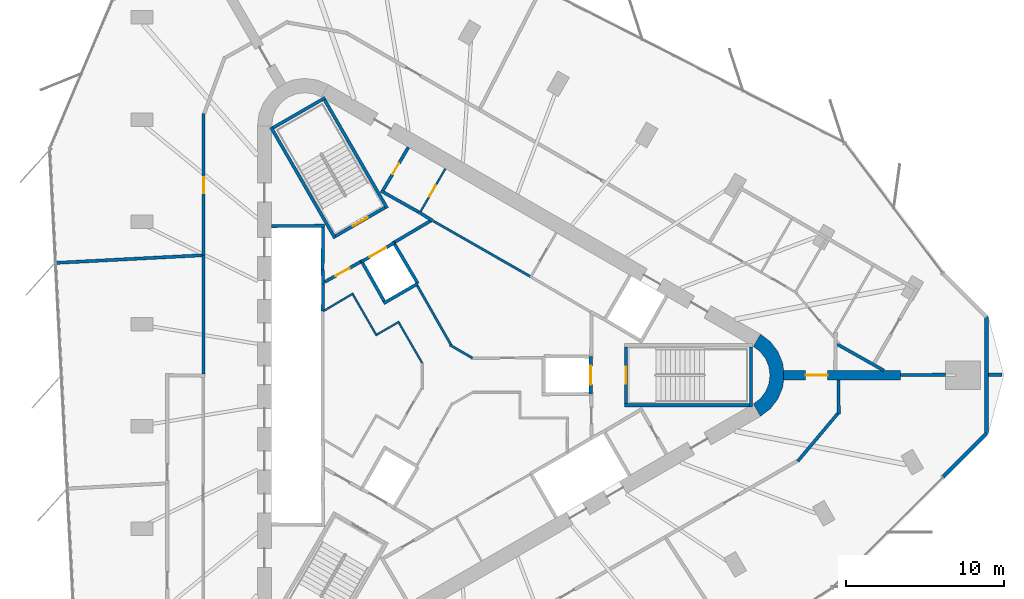
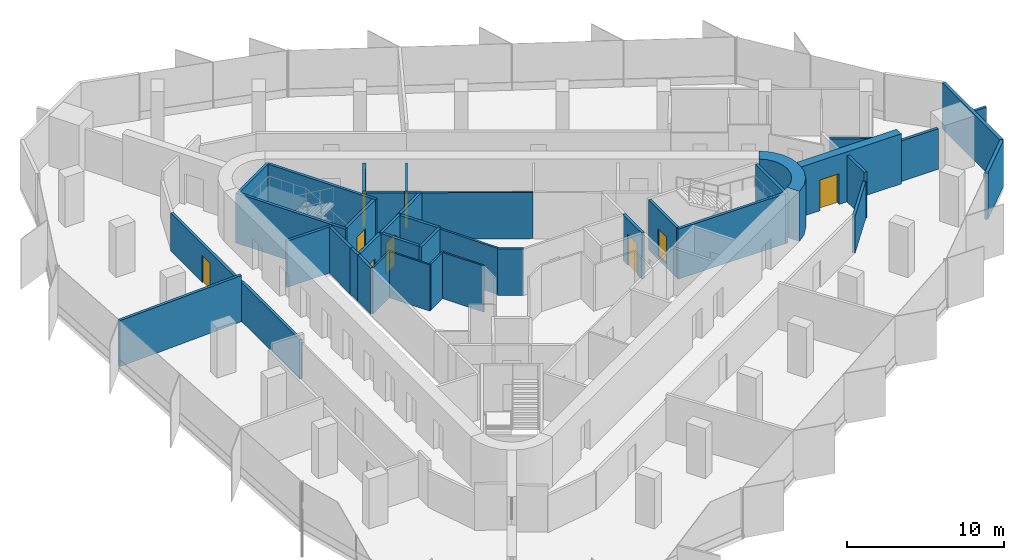
# One storey, part 9 of 12: 41 walls, 9 doors, 9 openings.
"""IFC4 building model written with IfcOpenShell, lengths in metres."""

from ifc_helpers import new_model, si_unit, direction, frame, frame_2d, origin, place, context, subcontext, project, spatial, polyline, rectangle, outline, extrude, material, layer, layer_set, type_object, element, fill, save


model = new_model("IFC4")

# Units and contexts
model_context = context("Model", 3, precision=1e-05, world=origin(), true_north=direction((0.0, 1.0)))
body_context = subcontext(model_context, "Body", "Model", "MODEL_VIEW")
ifc_project = project(units=[si_unit("LENGTHUNIT", "METRE"), si_unit("AREAUNIT", "SQUARE_METRE"), si_unit("VOLUMEUNIT", "CUBIC_METRE"), si_unit("PLANEANGLEUNIT", "RADIAN"), si_unit("MASSUNIT", "GRAM", prefix="KILO")], contexts=[model_context])

# Site, building, storey
site_placement = place(None, origin())
site = spatial("IfcSite", under=ifc_project, at=site_placement, CompositionType="ELEMENT")
building_placement = place(site_placement, origin())
building = spatial("IfcBuilding", under=site, at=building_placement, Name="Tanit Gate Tower", CompositionType="ELEMENT")
storey_placement = place(building_placement, frame((0.0, 0.0, 357.199951171875)))
storey = spatial("IfcBuildingStorey", under=building, at=storey_placement, Name="L81", CompositionType="ELEMENT", Elevation=357.199951171875)

# Wall, opening, door
ifc_material_1 = material(Name="Concrete C40/50", Category="concrete")
ifc_layer_1 = layer(ifc_material_1, 0.60009765625)
ifc_layer_set_1 = layer_set([ifc_layer_1], Name="BUTTRESS FIN 600 C40/50")
wall_type_1 = type_object("IfcWallType", Name="BUTTRESS FIN 600 C40/50", PredefinedType="SHEAR", material=ifc_layer_set_1)
wall_1_placement = place(storey_placement, frame((21.14990234375, 0.0, 0.0), z_axis=(0.0, 0.0, 1.0), x_axis=(1.0, 0.0, 0.0)))
wall_1 = element("IfcWall", 1, at=wall_1_placement, inside=storey, type_object=wall_type_1, Name="BUTTRESS FIN", PredefinedType="SHEAR", context=body_context, shape_type="SweptSolid", body=[
    extrude(rectangle(XDim=7.387939453125, YDim=0.60009765625, at=frame_2d((3.69384765625, 0.0))), origin(), (0.0, 0.0, 1.0), 3.900146484375),
])
opening_1_placement = place(wall_1_placement, frame((1.39990234375, 0.0, 0.0)))
opening_1 = element("IfcOpeningElement", 2, at=opening_1_placement, cuts=wall_1, Name="Opening P14-S23-F-E-1", PredefinedType="OPENING", context=body_context, shape_type="SweptSolid", body=[
    extrude(rectangle(XDim=1.39990234375, YDim=2.39990234375, at=frame_2d((0.699951171875, 1.199951171875))), frame((0.0, 0.31005859375, 0.0), z_axis=(0.0, -1.0, 0.0), x_axis=(1.0, 0.0, 0.0)), (0.0, 0.0, 1.0), 0.6201171875),
])
ifc_material_2 = material(Name="Timber door leaf", Category="wood")
door_type_1 = type_object("IfcDoorType", Name="INT-DOOR-FIN-PAIR-1400", OperationType="NOTDEFINED", PredefinedType="NOTDEFINED", material=ifc_material_2)
door_1_placement = place(opening_1_placement, origin())
door_1 = element("IfcDoor", 3, at=door_1_placement, inside=storey, type_object=door_type_1, Name="Door P14-S23-F-E-1", OperationType="DOUBLE_DOOR_SINGLE_SWING", OverallHeight=2.39990234375, OverallWidth=1.39990234375, PredefinedType="NOTDEFINED", context=body_context, shape_type="SweptSolid", body=[
    extrude(rectangle(XDim=1.39990234375, YDim=2.39990234375, at=frame_2d((0.699951171875, 1.199951171875))), frame((0.0, 0.02490234375, 0.0), z_axis=(0.0, -1.0, 0.0), x_axis=(1.0, 0.0, 0.0)), (0.0, 0.0, 1.0), 0.050048828125),
])
fill(opening_1, door_1)

# Walls
ifc_material_3 = material(Name="Concrete C40/50", Category="concrete")
ifc_layer_2 = layer(ifc_material_3, 0.89990234375)
ifc_layer_set_2 = layer_set([ifc_layer_2], Name="CORE WALL 900 C40/50")
wall_type_2 = type_object("IfcWallType", Name="CORE WALL 900 C40/50", PredefinedType="SHEAR", material=ifc_layer_set_2)
wall_2_placement = place(storey_placement, origin())
element("IfcWall", 4, at=wall_2_placement, inside=storey, type_object=wall_type_2, Name="CORE WALL CORNER", PredefinedType="SHEAR", context=body_context, shape_type="SweptSolid", body=[
    extrude(outline(polyline([(19.699951171875, -2.59814453125), (20.3212890625, -2.121337890625), (20.798095703125, -1.5), (21.097900390625, -0.776611328125), (21.199951171875, 0.0), (21.097900390625, 0.776611328125), (20.798095703125, 1.5), (20.3212890625, 2.121337890625), (19.699951171875, 2.59814453125), (19.25, 1.818603515625), (19.684814453125, 1.48486328125), (20.018798828125, 1.050048828125), (20.228515625, 0.54345703125), (20.300048828125, 0.0), (20.228515625, -0.54345703125), (20.018798828125, -1.050048828125), (19.684814453125, -1.48486328125), (19.25, -1.818603515625), (19.699951171875, -2.59814453125)])), origin(), (0.0, 0.0, 1.0), 3.900146484375),
])
ifc_material_4 = material(Name="Concrete C30/37 with bronze anodised aluminium cladding", Category="concrete")
ifc_layer_3 = layer(ifc_material_4, 0.239990234375)
ifc_layer_set_3 = layer_set([ifc_layer_3], Name="Facade wall bronze clad 240")
wall_type_3 = type_object("IfcWallType", Name="Facade wall bronze clad 240", PredefinedType="SOLIDWALL", material=ifc_layer_set_3)
wall_3_placement = place(storey_placement, frame((31.24658203125, -6.427734375, 0.0), z_axis=(0.0, 0.0, 1.0), x_axis=(0.707106781187, 0.707106781187, 0.0)))
element("IfcWall", 5, at=wall_3_placement, inside=storey, type_object=wall_type_3, Name="Bronze-clad facade wall L81 E.arc1", PredefinedType="SOLIDWALL", context=body_context, shape_type="SweptSolid", body=[
    extrude(rectangle(XDim=3.8603515625, YDim=0.239990234375, at=frame_2d((1.93017578125, 0.0))), origin(), (0.0, 0.0, 1.0), 3.60009765625),
])
wall_4_placement = place(storey_placement, frame((33.976318359375, -3.697998046875, 0.0), z_axis=(0.0, 0.0, 1.0), x_axis=(0.0, 1.0, 0.0)))
element("IfcWall", 6, at=wall_4_placement, inside=storey, type_object=wall_type_3, Name="Bronze-clad facade wall L81 E.arc2", PredefinedType="SOLIDWALL", context=body_context, shape_type="SweptSolid", body=[
    extrude(rectangle(XDim=7.39599609375, YDim=0.239990234375, at=frame_2d((3.697998046875, 0.0))), origin(), (0.0, 0.0, 1.0), 3.60009765625),
])
ifc_material_5 = material(Name="Fire-rated gypsum board partition")
ifc_layer_4 = layer(ifc_material_5, 0.199951171875)
ifc_layer_set_4 = layer_set([ifc_layer_4], Name="INT-WALL-COMPARTMENT")
wall_type_4 = type_object("IfcWallType", Name="INT-WALL-COMPARTMENT", PredefinedType="PARTITIONING", material=ifc_layer_set_4)
wall_5_placement = place(storey_placement, frame((-1.940673828125, 10.338623046875, 0.0), z_axis=(0.0, 0.0, 1.0), x_axis=(0.850216889117, -0.526432561171, 0.0)))
element("IfcWall", 7, at=wall_5_placement, inside=storey, type_object=wall_type_4, Name="Wall Compartment W048", PredefinedType="PARTITIONING", context=body_context, shape_type="SweptSolid", body=[
    extrude(rectangle(XDim=1.078369140625, YDim=0.199951171875, at=frame_2d((0.5390625, 0.0))), origin(), (0.0, 0.0, 1.0), 3.60009765625),
])
wall_6_placement = place(storey_placement, frame((-4.296142578125, 11.658935546875, 0.0), z_axis=(0.0, 0.0, 1.0), x_axis=(0.871534483978, -0.490334215854, 0.0)))
element("IfcWall", 8, at=wall_6_placement, inside=storey, type_object=wall_type_4, Name="Wall Compartment W050", PredefinedType="PARTITIONING", context=body_context, shape_type="SweptSolid", body=[
    extrude(rectangle(XDim=2.7001953125, YDim=0.199951171875, at=frame_2d((1.35009765625, 0.0))), origin(), (0.0, 0.0, 1.0), 3.60009765625),
])

# Wall, opening, door
wall_7_placement = place(storey_placement, frame((-2.557861328125, 14.409423828125, 0.0), z_axis=(0.0, 0.0, 1.0), x_axis=(-0.508018930956, -0.861345903683, 0.0)))
wall_7 = element("IfcWall", 9, at=wall_7_placement, inside=storey, type_object=wall_type_4, Name="Wall Compartment W051", PredefinedType="PARTITIONING", context=body_context, shape_type="SweptSolid", body=[
    extrude(rectangle(XDim=3.150146484375, YDim=0.199951171875, at=frame_2d((1.5751953125, 0.0))), origin(), (0.0, 0.0, 1.0), 3.60009765625),
])
opening_2_placement = place(wall_7_placement, frame((1.175048828125, 0.0, 0.0)))
opening_2 = element("IfcOpeningElement", 10, at=opening_2_placement, cuts=wall_7, Name="Opening R08-S23-14", PredefinedType="OPENING", context=body_context, shape_type="SweptSolid", body=[
    extrude(rectangle(XDim=0.800048828125, YDim=2.10009765625, at=frame_2d((0.39990234375, 1.050048828125))), frame((0.0, 0.10986328125, 0.0), z_axis=(0.0, -1.0, 0.0), x_axis=(1.0, 0.0, 0.0)), (0.0, 0.0, 1.0), 0.219970703125),
])
ifc_material_6 = material(Name="Timber door leaf", Category="wood")
door_type_2 = type_object("IfcDoorType", Name="INT-DOOR-RISER-800", OperationType="NOTDEFINED", PredefinedType="USERDEFINED", material=ifc_material_6)
door_2_placement = place(opening_2_placement, origin())
door_2 = element("IfcDoor", 11, at=door_2_placement, inside=storey, type_object=door_type_2, Name="Door R08-S23-14", ObjectType="FIRE DOOR", OperationType="SINGLE_SWING_RIGHT", OverallHeight=2.10009765625, OverallWidth=0.800048828125, PredefinedType="USERDEFINED", context=body_context, shape_type="SweptSolid", body=[
    extrude(rectangle(XDim=0.800048828125, YDim=2.10009765625, at=frame_2d((0.39990234375, 1.050048828125))), frame((0.0, 0.02490234375, 0.0), z_axis=(0.0, -1.0, 0.0), x_axis=(1.0, 0.0, 0.0)), (0.0, 0.0, 1.0), 0.050048828125),
])
fill(opening_2, door_2)

# Wall
wall_8_placement = place(storey_placement, frame((-1.0546875, 9.818359375, 0.0), z_axis=(0.0, 0.0, 1.0), x_axis=(-0.860614334655, -0.50925726994, 0.0)))
element("IfcWall", 12, at=wall_8_placement, inside=storey, type_object=wall_type_4, Name="Wall Compartment W061", PredefinedType="PARTITIONING", context=body_context, shape_type="SweptSolid", body=[
    extrude(rectangle(XDim=2.725830078125, YDim=0.199951171875, at=frame_2d((1.36279296875, 0.0))), origin(), (0.0, 0.0, 1.0), 3.60009765625),
])

# Wall, opening, door
wall_9_placement = place(storey_placement, frame((-5.600341796875, 7.16015625, 0.0), z_axis=(0.0, 0.0, 1.0), x_axis=(-0.871363259478, -0.490638431059, 0.0)))
wall_9 = element("IfcWall", 13, at=wall_9_placement, inside=storey, type_object=wall_type_4, Name="Wall Compartment W062", PredefinedType="PARTITIONING", context=body_context, shape_type="SweptSolid", body=[
    extrude(rectangle(XDim=2.5810546875, YDim=0.199951171875, at=frame_2d((1.29052734375, 0.0))), origin(), (0.0, 0.0, 1.0), 3.60009765625),
])
opening_3_placement = place(wall_9_placement, frame((0.79052734375, 0.0, 0.0)))
opening_3 = element("IfcOpeningElement", 14, at=opening_3_placement, cuts=wall_9, Name="Opening F10-S23-05", PredefinedType="OPENING", context=body_context, shape_type="SweptSolid", body=[
    extrude(rectangle(XDim=1.0, YDim=2.10009765625, at=frame_2d((0.5, 1.050048828125))), frame((0.0, 0.10986328125, 0.0), z_axis=(0.0, -1.0, 0.0), x_axis=(1.0, 0.0, 0.0)), (0.0, 0.0, 1.0), 0.219970703125),
])
ifc_material_7 = material(Name="Fire-rated steel door leaf", Category="steel")
door_type_3 = type_object("IfcDoorType", Name="INT-DOOR-FIRE-1000", OperationType="NOTDEFINED", PredefinedType="USERDEFINED", material=ifc_material_7)
door_3_placement = place(opening_3_placement, origin())
door_3 = element("IfcDoor", 15, at=door_3_placement, inside=storey, type_object=door_type_3, Name="Door F10-S23-05", ObjectType="FIRE DOOR", OperationType="SINGLE_SWING_RIGHT", OverallHeight=2.10009765625, OverallWidth=1.0, PredefinedType="USERDEFINED", context=body_context, shape_type="SweptSolid", body=[
    extrude(rectangle(XDim=1.0, YDim=2.10009765625, at=frame_2d((0.5, 1.050048828125))), frame((0.0, 0.02490234375, 0.0), z_axis=(0.0, -1.0, 0.0), x_axis=(1.0, 0.0, 0.0)), (0.0, 0.0, 1.0), 0.050048828125),
])
fill(opening_3, door_3)

wall_10_placement = place(storey_placement, frame((-15.5, 16.54052734375, 0.0), z_axis=(0.0, 0.0, 1.0), x_axis=(0.0, -1.0, 0.0)))
wall_10 = element("IfcWall", 16, at=wall_10_placement, inside=storey, type_object=wall_type_4, Name="Wall Compartment W092", PredefinedType="PARTITIONING", context=body_context, shape_type="SweptSolid", body=[
    extrude(rectangle(XDim=8.97021484375, YDim=0.199951171875, at=frame_2d((4.485107421875, 0.0))), origin(), (0.0, 0.0, 1.0), 2.969970703125),
])
opening_4_placement = place(wall_10_placement, frame((4.0263671875, 0.0, 0.0)))
opening_4 = element("IfcOpeningElement", 17, at=opening_4_placement, cuts=wall_10, Name="Opening F10-S23-25", PredefinedType="OPENING", context=body_context, shape_type="SweptSolid", body=[
    extrude(rectangle(XDim=1.0, YDim=2.10009765625, at=frame_2d((0.5, 1.050048828125))), frame((0.0, 0.10986328125, 0.0), z_axis=(0.0, -1.0, 0.0), x_axis=(1.0, 0.0, 0.0)), (0.0, 0.0, 1.0), 0.219970703125),
])
door_4_placement = place(opening_4_placement, origin())
door_4 = element("IfcDoor", 18, at=door_4_placement, inside=storey, type_object=door_type_3, Name="Door F10-S23-25", ObjectType="FIRE DOOR", OperationType="SINGLE_SWING_LEFT", OverallHeight=2.10009765625, OverallWidth=1.0, PredefinedType="USERDEFINED", context=body_context, shape_type="SweptSolid", body=[
    extrude(rectangle(XDim=1.0, YDim=2.10009765625, at=frame_2d((0.5, 1.050048828125))), frame((0.0, 0.02490234375, 0.0), z_axis=(0.0, -1.0, 0.0), x_axis=(1.0, 0.0, 0.0)), (0.0, 0.0, 1.0), 0.050048828125),
])
fill(opening_4, door_4)

# Walls
wall_11_placement = place(storey_placement, frame((-15.5, 7.5703125, 0.0), z_axis=(0.0, 0.0, 1.0), x_axis=(0.0, -1.0, 0.0)))
element("IfcWall", 19, at=wall_11_placement, inside=storey, type_object=wall_type_4, Name="Wall Compartment W091", PredefinedType="PARTITIONING", context=body_context, shape_type="SweptSolid", body=[
    extrude(rectangle(XDim=7.500244140625, YDim=0.199951171875, at=frame_2d((3.75, 0.0))), origin(), (0.0, 0.0, 1.0), 3.070068359375),
])
wall_12_placement = place(storey_placement, frame((24.647705078125, -2.46240234375, 0.0), z_axis=(0.0, 0.0, 1.0), x_axis=(-0.012757232068, 0.999918623204, 0.0)))
element("IfcWall", 20, at=wall_12_placement, inside=storey, type_object=wall_type_4, Name="Wall Compartment W103", PredefinedType="PARTITIONING", context=body_context, shape_type="SweptSolid", body=[
    extrude(rectangle(XDim=2.16259765625, YDim=0.199951171875, at=frame_2d((1.081298828125, 0.0))), origin(), (0.0, 0.0, 1.0), 3.60009765625),
])
wall_13_placement = place(storey_placement, frame((22.05419921875, -5.435302734375, 0.0), z_axis=(0.0, 0.0, 1.0), x_axis=(0.642790979996, 0.766041615081, 0.0)))
element("IfcWall", 21, at=wall_13_placement, inside=storey, type_object=wall_type_4, Name="Wall Compartment W104", PredefinedType="PARTITIONING", context=body_context, shape_type="SweptSolid", body=[
    extrude(rectangle(XDim=3.9833984375, YDim=0.199951171875, at=frame_2d((1.99169921875, 0.0))), origin(), (0.0, 0.0, 1.0), 2.880126953125),
])
wall_14_placement = place(storey_placement, frame((-24.8544921875, 7.10205078125, 0.0), z_axis=(0.0, 0.0, 1.0), x_axis=(0.998654984193, 0.05184807178, 0.0)))
element("IfcWall", 22, at=wall_14_placement, inside=storey, type_object=wall_type_4, Name="Wall Compartment W113", PredefinedType="PARTITIONING", context=body_context, shape_type="SweptSolid", body=[
    extrude(rectangle(XDim=9.266845703125, YDim=0.199951171875, at=frame_2d((4.63330078125, 0.0))), origin(), (0.0, 0.0, 1.0), 3.60009765625),
])
wall_15_placement = place(storey_placement, frame((28.537841796875, 0.017333984375, 0.0), z_axis=(0.0, 0.0, 1.0), x_axis=(0.999990105006, 0.004448582895, 0.0)))
element("IfcWall", 23, at=wall_15_placement, inside=storey, type_object=wall_type_4, Name="Wall Compartment W117", PredefinedType="PARTITIONING", context=body_context, shape_type="SweptSolid", body=[
    extrude(rectangle(XDim=2.853759765625, YDim=0.199951171875, at=frame_2d((1.4267578125, 0.0))), origin(), (0.0, 0.0, 1.0), 3.170166015625),
])
wall_16_placement = place(storey_placement, frame((34.096435546875, 0.030029296875, 0.0), z_axis=(0.0, 0.0, 1.0), x_axis=(1.0, 0.0, 0.0)))
element("IfcWall", 24, at=wall_16_placement, inside=storey, type_object=wall_type_4, Name="Wall Compartment W118", PredefinedType="PARTITIONING", context=body_context, shape_type="SweptSolid", body=[
    extrude(rectangle(XDim=0.86279296875, YDim=0.199951171875, at=frame_2d((0.431396484375, 0.0))), origin(), (0.0, 0.0, 1.0), 3.60009765625),
])
wall_17_placement = place(storey_placement, frame((24.54541015625, 1.961181640625, 0.0), z_axis=(0.0, 0.0, 1.0), x_axis=(0.871471565427, -0.490446032354, 0.0)))
element("IfcWall", 25, at=wall_17_placement, inside=storey, type_object=wall_type_4, Name="Wall Compartment W123", PredefinedType="PARTITIONING", context=body_context, shape_type="SweptSolid", body=[
    extrude(rectangle(XDim=3.386962890625, YDim=0.199951171875, at=frame_2d((1.693359375, 0.0))), origin(), (0.0, 0.0, 1.0), 3.60009765625),
])

# Wall, opening, door
ifc_material_8 = material(Name="Gypsum board partition")
ifc_layer_5 = layer(ifc_material_8, 0.1201171875)
ifc_layer_set_5 = layer_set([ifc_layer_5], Name="INT-WALL-PARTITION")
wall_type_5 = type_object("IfcWallType", Name="INT-WALL-PARTITION", PredefinedType="PARTITIONING", material=ifc_layer_set_5)
wall_18_placement = place(storey_placement, frame((-0.2197265625, 13.0595703125, 0.0), z_axis=(0.0, 0.0, 1.0), x_axis=(-0.499984717929, -0.866034226713, 0.0)))
wall_18 = element("IfcWall", 26, at=wall_18_placement, inside=storey, type_object=wall_type_5, Name="Wall Partition W047", PredefinedType="PARTITIONING", context=body_context, shape_type="SweptSolid", body=[
    extrude(rectangle(XDim=3.25, YDim=0.1201171875, at=frame_2d((1.625, 0.0))), origin(), (0.0, 0.0, 1.0), 3.60009765625),
])
opening_5_placement = place(wall_18_placement, frame((1.22509765625, 0.0, 0.0)))
opening_5 = element("IfcOpeningElement", 27, at=opening_5_placement, cuts=wall_18, Name="Opening R08-S23-31", PredefinedType="OPENING", context=body_context, shape_type="SweptSolid", body=[
    extrude(rectangle(XDim=0.800048828125, YDim=2.10009765625, at=frame_2d((0.39990234375, 1.050048828125))), frame((0.0, 0.070068359375, 0.0), z_axis=(0.0, -1.0, 0.0), x_axis=(1.0, 0.0, 0.0)), (0.0, 0.0, 1.0), 0.14013671875),
])
door_5_placement = place(opening_5_placement, origin())
door_5 = element("IfcDoor", 28, at=door_5_placement, inside=storey, type_object=door_type_2, Name="Door R08-S23-31", ObjectType="FIRE DOOR", OperationType="SINGLE_SWING_LEFT", OverallHeight=2.10009765625, OverallWidth=0.800048828125, PredefinedType="USERDEFINED", context=body_context, shape_type="SweptSolid", body=[
    extrude(rectangle(XDim=0.800048828125, YDim=2.10009765625, at=frame_2d((0.39990234375, 1.050048828125))), frame((0.0, 0.02490234375, 0.0), z_axis=(0.0, -1.0, 0.0), x_axis=(1.0, 0.0, 0.0)), (0.0, 0.0, 1.0), 0.050048828125),
])
fill(opening_5, door_5)

# Walls
wall_19_placement = place(storey_placement, frame((-6.03662109375, 5.17578125, 0.0), z_axis=(0.0, 0.0, 1.0), x_axis=(-0.860106072674, -0.510115225953, 0.0)))
element("IfcWall", 29, at=wall_19_placement, inside=storey, type_object=wall_type_5, Name="Wall Partition W074", PredefinedType="PARTITIONING", context=body_context, shape_type="SweptSolid", body=[
    extrude(rectangle(XDim=2.224609375, YDim=0.1201171875, at=frame_2d((1.1123046875, 0.0))), origin(), (0.0, 0.0, 1.0), 3.60009765625),
])
wall_20_placement = place(storey_placement, frame((-4.558349609375, 2.4951171875, 0.0), z_axis=(0.0, 0.0, 1.0), x_axis=(-0.499990139034, 0.866031096941, 0.0)))
element("IfcWall", 30, at=wall_20_placement, inside=storey, type_object=wall_type_5, Name="Wall Partition W075", PredefinedType="PARTITIONING", context=body_context, shape_type="SweptSolid", body=[
    extrude(rectangle(XDim=3.0, YDim=0.1201171875, at=frame_2d((1.5, 0.0))), origin(), (0.0, 0.0, 1.0), 3.60009765625),
])
wall_21_placement = place(storey_placement, frame((-3.12890625, 3.3896484375, 0.0), z_axis=(0.0, 0.0, 1.0), x_axis=(-0.866053003207, -0.499952193351, 0.0)))
element("IfcWall", 31, at=wall_21_placement, inside=storey, type_object=wall_type_5, Name="Wall Partition W076", PredefinedType="PARTITIONING", context=body_context, shape_type="SweptSolid", body=[
    extrude(rectangle(XDim=1.625244140625, YDim=0.1201171875, at=frame_2d((0.8125, 0.0))), origin(), (0.0, 0.0, 1.0), 3.60009765625),
])
wall_22_placement = place(storey_placement, frame((-1.63671875, 0.68505859375, 0.0), z_axis=(0.0, 0.0, 1.0), x_axis=(-0.500006252586, 0.866021793822, 0.0)))
element("IfcWall", 32, at=wall_22_placement, inside=storey, type_object=wall_type_5, Name="Wall Partition W077", PredefinedType="PARTITIONING", context=body_context, shape_type="SweptSolid", body=[
    extrude(rectangle(XDim=3.0283203125, YDim=0.1201171875, at=frame_2d((1.51416015625, 0.0))), origin(), (0.0, 0.0, 1.0), 3.60009765625),
])
ifc_material_9 = material(Name="Fire-rated gypsum board partition")
ifc_layer_6 = layer(ifc_material_9, 0.14990234375)
ifc_layer_set_6 = layer_set([ifc_layer_6], Name="INT-WALL-RISER")
wall_type_6 = type_object("IfcWallType", Name="INT-WALL-RISER", PredefinedType="PLUMBINGWALL", material=ifc_layer_set_6)
wall_23_placement = place(storey_placement, frame((5.1591796875, 6.23583984375, 0.0), z_axis=(0.0, 0.0, 1.0), x_axis=(-0.868105023632, 0.496380567654, 0.0)))
element("IfcWall", 33, at=wall_23_placement, inside=storey, type_object=wall_type_6, Name="Wall Riser W049", PredefinedType="PLUMBINGWALL", context=body_context, shape_type="SweptSolid", body=[
    extrude(rectangle(XDim=7.072265625, YDim=0.14990234375, at=frame_2d((3.5361328125, 0.0))), origin(), (0.0, 0.0, 1.0), 3.60009765625),
])
wall_24_placement = place(storey_placement, frame((0.0625, 1.9140625, 0.0), z_axis=(0.0, 0.0, 1.0), x_axis=(0.866018462269, -0.500012022864, 0.0)))
element("IfcWall", 34, at=wall_24_placement, inside=storey, type_object=wall_type_6, Name="Wall Riser W066", PredefinedType="PLUMBINGWALL", context=body_context, shape_type="SweptSolid", body=[
    extrude(rectangle(XDim=1.654296875, YDim=0.14990234375, at=frame_2d((0.8271484375, 0.0))), origin(), (0.0, 0.0, 1.0), 3.60009765625),
])
wall_25_placement = place(storey_placement, frame((-1.994140625, 5.661376953125, 0.0), z_axis=(0.0, 0.0, 1.0), x_axis=(0.494341211302, -0.869267948798, 0.0)))
element("IfcWall", 35, at=wall_25_placement, inside=storey, type_object=wall_type_6, Name="Wall Riser W067", PredefinedType="PLUMBINGWALL", context=body_context, shape_type="SweptSolid", body=[
    extrude(rectangle(XDim=4.36083984375, YDim=0.14990234375, at=frame_2d((2.180419921875, 0.0))), origin(), (0.0, 0.0, 1.0), 3.60009765625),
])
ifc_material_10 = material(Name="Gypsum shaft wall system")
ifc_layer_7 = layer(ifc_material_10, 0.199951171875)
ifc_layer_set_7 = layer_set([ifc_layer_7], Name="INT-WALL-SHAFT")
wall_type_7 = type_object("IfcWallType", Name="INT-WALL-SHAFT", PredefinedType="PLUMBINGWALL", material=ifc_layer_set_7)
wall_26_placement = place(storey_placement, frame((-11.199951171875, 9.419921875, 0.0), z_axis=(0.0, 0.0, 1.0), x_axis=(0.999957167047, 0.009255488683, 0.0)))
element("IfcWall", 36, at=wall_26_placement, inside=storey, type_object=wall_type_7, Name="Wall Shaft W001", PredefinedType="PLUMBINGWALL", context=body_context, shape_type="SweptSolid", body=[
    extrude(rectangle(XDim=3.35009765625, YDim=0.199951171875, at=frame_2d((1.675048828125, 0.0))), origin(), (0.0, 0.0, 1.0), 3.60009765625),
])
wall_27_placement = place(storey_placement, frame((-7.951171875, 9.35009765625, 0.0), z_axis=(0.0, 0.0, 1.0), x_axis=(-0.011120469654, -0.999938165666, 0.0)))
element("IfcWall", 37, at=wall_27_placement, inside=storey, type_object=wall_type_7, Name="Wall Shaft W002", PredefinedType="PLUMBINGWALL", context=body_context, shape_type="SweptSolid", body=[
    extrude(rectangle(XDim=2.700439453125, YDim=0.199951171875, at=frame_2d((1.35009765625, 0.0))), origin(), (0.0, 0.0, 1.0), 3.60009765625),
])
wall_28_placement = place(storey_placement, frame((-7.97705078125, 6.650146484375, 0.0), z_axis=(0.0, 0.0, 1.0), x_axis=(0.030861509705, -0.999523670164, 0.0)))
element("IfcWall", 38, at=wall_28_placement, inside=storey, type_object=wall_type_7, Name="Wall Shaft W003", PredefinedType="PLUMBINGWALL", context=body_context, shape_type="SweptSolid", body=[
    extrude(rectangle(XDim=0.878173828125, YDim=0.199951171875, at=frame_2d((0.43896484375, 0.0))), origin(), (0.0, 0.0, 1.0), 3.60009765625),
])
wall_29_placement = place(storey_placement, frame((-7.94921875, 5.894775390625, 0.0), z_axis=(0.0, 0.0, 1.0), x_axis=(-0.012042535896, -0.999927486035, 0.0)))
element("IfcWall", 39, at=wall_29_placement, inside=storey, type_object=wall_type_7, Name="Wall Shaft W004", PredefinedType="PLUMBINGWALL", context=body_context, shape_type="SweptSolid", body=[
    extrude(rectangle(XDim=1.844970703125, YDim=0.199951171875, at=frame_2d((0.92236328125, 0.0))), origin(), (0.0, 0.0, 1.0), 3.60009765625),
])

# Wall, opening, door
wall_30_placement = place(storey_placement, frame((8.969970703125, 1.199951171875, 0.0), z_axis=(0.0, 0.0, 1.0), x_axis=(0.0, -1.0, 0.0)))
wall_30 = element("IfcWall", 40, at=wall_30_placement, inside=storey, type_object=wall_type_7, Name="Wall Shaft W024", PredefinedType="PLUMBINGWALL", context=body_context, shape_type="SweptSolid", body=[
    extrude(rectangle(XDim=2.39990234375, YDim=0.199951171875, at=frame_2d((1.199951171875, 0.0))), origin(), (0.0, 0.0, 1.0), 3.60009765625),
])
opening_6_placement = place(wall_30_placement, frame((0.60009765625, 0.0, 0.0)))
opening_6 = element("IfcOpeningElement", 41, at=opening_6_placement, cuts=wall_30, Name="Opening LDFL1-L81", PredefinedType="OPENING", context=body_context, shape_type="SweptSolid", body=[
    extrude(rectangle(XDim=1.199951171875, YDim=2.39990234375, at=frame_2d((0.60009765625, 1.199951171875))), frame((0.0, 0.10986328125, 0.0), z_axis=(0.0, -1.0, 0.0), x_axis=(1.0, 0.0, 0.0)), (0.0, 0.0, 1.0), 0.219970703125),
])
ifc_material_11 = material(Name="Stainless steel sliding door leaf", Category="steel")
door_type_4 = type_object("IfcDoorType", Name="INT-DOOR-LANDING-1200", OperationType="NOTDEFINED", PredefinedType="USERDEFINED", material=ifc_material_11)
door_6_placement = place(opening_6_placement, origin())
door_6 = element("IfcDoor", 42, at=door_6_placement, inside=storey, type_object=door_type_4, Name="Door LDFL1-L81", ObjectType="LANDING DOOR", OperationType="SLIDING_TO_LEFT", OverallHeight=2.39990234375, OverallWidth=1.199951171875, PredefinedType="USERDEFINED", context=body_context, shape_type="SweptSolid", body=[
    extrude(rectangle(XDim=1.199951171875, YDim=2.39990234375, at=frame_2d((0.60009765625, 1.199951171875))), frame((0.0, 0.02490234375, 0.0), z_axis=(0.0, -1.0, 0.0), x_axis=(1.0, 0.0, 0.0)), (0.0, 0.0, 1.0), 0.050048828125),
])
fill(opening_6, door_6)

wall_31_placement = place(storey_placement, frame((-5.524169921875, 7.168212890625, 0.0), z_axis=(0.0, 0.0, 1.0), x_axis=(0.866024647952, 0.500001309137, 0.0)))
wall_31 = element("IfcWall", 43, at=wall_31_placement, inside=storey, type_object=wall_type_7, Name="Wall Shaft W032", PredefinedType="PLUMBINGWALL", context=body_context, shape_type="SweptSolid", body=[
    extrude(rectangle(XDim=2.39990234375, YDim=0.199951171875, at=frame_2d((1.199951171875, 0.0))), origin(), (0.0, 0.0, 1.0), 3.60009765625),
])
opening_7_placement = place(wall_31_placement, frame((0.60009765625, 0.0, 0.0)))
opening_7 = element("IfcOpeningElement", 44, at=opening_7_placement, cuts=wall_31, Name="Opening LDFL2-L81", PredefinedType="OPENING", context=body_context, shape_type="SweptSolid", body=[
    extrude(rectangle(XDim=1.199951171875, YDim=2.39990234375, at=frame_2d((0.60009765625, 1.199951171875))), frame((0.0, 0.10986328125, 0.0), z_axis=(0.0, -1.0, 0.0), x_axis=(1.0, 0.0, 0.0)), (0.0, 0.0, 1.0), 0.219970703125),
])
door_7_placement = place(opening_7_placement, origin())
door_7 = element("IfcDoor", 45, at=door_7_placement, inside=storey, type_object=door_type_4, Name="Door LDFL2-L81", ObjectType="LANDING DOOR", OperationType="SLIDING_TO_LEFT", OverallHeight=2.39990234375, OverallWidth=1.199951171875, PredefinedType="USERDEFINED", context=body_context, shape_type="SweptSolid", body=[
    extrude(rectangle(XDim=1.199951171875, YDim=2.39990234375, at=frame_2d((0.60009765625, 1.199951171875))), frame((0.0, 0.02490234375, 0.0), z_axis=(0.0, -1.0, 0.0), x_axis=(1.0, 0.0, 0.0)), (0.0, 0.0, 1.0), 0.050048828125),
])
fill(opening_7, door_7)

# Walls
wall_32_placement = place(storey_placement, frame((-3.53759765625, 8.46533203125, 0.0), z_axis=(0.0, 0.0, 1.0), x_axis=(0.508647062354, -0.860975125052, 0.0)))
element("IfcWall", 46, at=wall_32_placement, inside=storey, type_object=wall_type_7, Name="Wall Shaft W033", PredefinedType="PLUMBINGWALL", context=body_context, shape_type="SweptSolid", body=[
    extrude(rectangle(XDim=3.10009765625, YDim=0.199951171875, at=frame_2d((1.550048828125, 0.0))), origin(), (0.0, 0.0, 1.0), 3.60009765625),
])
wall_33_placement = place(storey_placement, frame((-1.978515625, 5.785888671875, 0.0), z_axis=(0.0, 0.0, 1.0), x_axis=(-0.866016689309, -0.500015093611, 0.0)))
element("IfcWall", 47, at=wall_33_placement, inside=storey, type_object=wall_type_7, Name="Wall Shaft W034", PredefinedType="PLUMBINGWALL", context=body_context, shape_type="SweptSolid", body=[
    extrude(rectangle(XDim=2.4794921875, YDim=0.199951171875, at=frame_2d((1.23974609375, 0.0))), origin(), (0.0, 0.0, 1.0), 3.60009765625),
])
wall_34_placement = place(storey_placement, frame((-5.5625, 7.29638671875, 0.0), z_axis=(0.0, 0.0, 1.0), x_axis=(0.49134651263, -0.870964180966, 0.0)))
element("IfcWall", 48, at=wall_34_placement, inside=storey, type_object=wall_type_7, Name="Wall Shaft W035", PredefinedType="PLUMBINGWALL", context=body_context, shape_type="SweptSolid", body=[
    extrude(rectangle(XDim=3.000244140625, YDim=0.199951171875, at=frame_2d((1.5, 0.0))), origin(), (0.0, 0.0, 1.0), 3.60009765625),
])
ifc_material_12 = material(Name="Concrete C40/50", Category="concrete")
ifc_layer_8 = layer(ifc_material_12, 0.199951171875)
ifc_layer_set_8 = layer_set([ifc_layer_8], Name="INT-WALL-STAIR")
wall_type_8 = type_object("IfcWallType", Name="INT-WALL-STAIR", PredefinedType="SHEAR", material=ifc_layer_set_8)
wall_35_placement = place(storey_placement, frame((19.10009765625, -2.0, -0.300048828125), z_axis=(0.0, 0.0, 1.0), x_axis=(0.0, 1.0, 0.0)))
element("IfcWall", 49, at=wall_35_placement, inside=storey, type_object=wall_type_8, Name="Wall Stair W021", PredefinedType="SHEAR", context=body_context, shape_type="SweptSolid", body=[
    extrude(rectangle(XDim=3.800048828125, YDim=0.199951171875, at=frame_2d((1.89990234375, 0.0))), origin(), (0.0, 0.0, 1.0), 3.900146484375),
])
wall_36_placement = place(storey_placement, frame((11.10009765625, -1.89990234375, -0.300048828125), z_axis=(0.0, 0.0, 1.0), x_axis=(1.0, 0.0, 0.0)))
element("IfcWall", 50, at=wall_36_placement, inside=storey, type_object=wall_type_8, Name="Wall Stair W022", PredefinedType="SHEAR", context=body_context, shape_type="SweptSolid", body=[
    extrude(rectangle(XDim=7.89990234375, YDim=0.199951171875, at=frame_2d((3.949951171875, 0.0))), origin(), (0.0, 0.0, 1.0), 3.900146484375),
])

# Wall, opening, door
wall_37_placement = place(storey_placement, frame((11.199951171875, -1.800048828125, -0.300048828125), z_axis=(0.0, 0.0, 1.0), x_axis=(0.0, 1.0, 0.0)))
wall_37 = element("IfcWall", 51, at=wall_37_placement, inside=storey, type_object=wall_type_8, Name="Wall Stair W023", PredefinedType="SHEAR", context=body_context, shape_type="SweptSolid", body=[
    extrude(rectangle(XDim=3.60009765625, YDim=0.199951171875, at=frame_2d((1.800048828125, 0.0))), origin(), (0.0, 0.0, 1.0), 3.900146484375),
])
opening_8_placement = place(wall_37_placement, frame((1.25, 0.0, 0.300048828125)))
opening_8 = element("IfcOpeningElement", 52, at=opening_8_placement, cuts=wall_37, Name="Opening S11-S23-01", PredefinedType="OPENING", context=body_context, shape_type="SweptSolid", body=[
    extrude(rectangle(XDim=1.10009765625, YDim=2.10009765625, at=frame_2d((0.550048828125, 1.050048828125))), frame((0.0, 0.10986328125, 0.0), z_axis=(0.0, -1.0, 0.0), x_axis=(1.0, 0.0, 0.0)), (0.0, 0.0, 1.0), 0.219970703125),
])
ifc_material_13 = material(Name="Timber door leaf", Category="wood")
door_type_5 = type_object("IfcDoorType", Name="INT-DOOR-STAIR-1100", OperationType="NOTDEFINED", PredefinedType="USERDEFINED", material=ifc_material_13)
door_8_placement = place(opening_8_placement, origin())
door_8 = element("IfcDoor", 53, at=door_8_placement, inside=storey, type_object=door_type_5, Name="Door S11-S23-01", ObjectType="FIRE DOOR", OperationType="SINGLE_SWING_RIGHT", OverallHeight=2.10009765625, OverallWidth=1.10009765625, PredefinedType="USERDEFINED", context=body_context, shape_type="SweptSolid", body=[
    extrude(rectangle(XDim=1.10009765625, YDim=2.10009765625, at=frame_2d((0.550048828125, 1.050048828125))), frame((0.0, 0.02490234375, 0.0), z_axis=(0.0, -1.0, 0.0), x_axis=(1.0, 0.0, 0.0)), (0.0, 0.0, 1.0), 0.050048828125),
])
fill(opening_8, door_8)

# Walls
wall_38_placement = place(storey_placement, frame((-11.245361328125, 15.677734375, -0.300048828125), z_axis=(0.0, 0.0, 1.0), x_axis=(0.499977274689, -0.866038523851, 0.0)))
element("IfcWall", 54, at=wall_38_placement, inside=storey, type_object=wall_type_8, Name="Wall Stair W028", PredefinedType="SHEAR", context=body_context, shape_type="SweptSolid", body=[
    extrude(rectangle(XDim=8.10009765625, YDim=0.199951171875, at=frame_2d((4.050048828125, 0.0))), origin(), (0.0, 0.0, 1.0), 3.900146484375),
])
wall_39_placement = place(storey_placement, frame((-7.81787109375, 17.541015625, -0.300048828125), z_axis=(0.0, 0.0, 1.0), x_axis=(-0.866044365799, -0.499967155389, 0.0)))
element("IfcWall", 55, at=wall_39_placement, inside=storey, type_object=wall_type_8, Name="Wall Stair W029", PredefinedType="SHEAR", context=body_context, shape_type="SweptSolid", body=[
    extrude(rectangle(XDim=3.800048828125, YDim=0.199951171875, at=frame_2d((1.89990234375, 0.0))), origin(), (0.0, 0.0, 1.0), 3.900146484375),
])
wall_40_placement = place(storey_placement, frame((-7.8544921875, 17.404541015625, -0.300048828125), z_axis=(0.0, 0.0, 1.0), x_axis=(0.499997992926, -0.866026562566, 0.0)))
element("IfcWall", 56, at=wall_40_placement, inside=storey, type_object=wall_type_8, Name="Wall Stair W030", PredefinedType="SHEAR", context=body_context, shape_type="SweptSolid", body=[
    extrude(rectangle(XDim=7.89990234375, YDim=0.199951171875, at=frame_2d((3.949951171875, 0.0))), origin(), (0.0, 0.0, 1.0), 3.900146484375),
])

# Wall, opening, door
wall_41_placement = place(storey_placement, frame((-7.158935546875, 8.799560546875, -0.300048828125), z_axis=(0.0, 0.0, 1.0), x_axis=(0.866047807691, 0.499961193289, 0.0)))
wall_41 = element("IfcWall", 57, at=wall_41_placement, inside=storey, type_object=wall_type_8, Name="Wall Stair W031", PredefinedType="SHEAR", context=body_context, shape_type="SweptSolid", body=[
    extrude(rectangle(XDim=3.599853515625, YDim=0.199951171875, at=frame_2d((1.7998046875, 0.0))), origin(), (0.0, 0.0, 1.0), 3.900146484375),
])
opening_9_placement = place(wall_41_placement, frame((1.25, 0.0, 0.300048828125)))
opening_9 = element("IfcOpeningElement", 58, at=opening_9_placement, cuts=wall_41, Name="Opening S11-S23-04", PredefinedType="OPENING", context=body_context, shape_type="SweptSolid", body=[
    extrude(rectangle(XDim=1.10009765625, YDim=2.10009765625, at=frame_2d((0.550048828125, 1.050048828125))), frame((0.0, 0.10986328125, 0.0), z_axis=(0.0, -1.0, 0.0), x_axis=(1.0, 0.0, 0.0)), (0.0, 0.0, 1.0), 0.219970703125),
])
door_9_placement = place(opening_9_placement, origin())
door_9 = element("IfcDoor", 59, at=door_9_placement, inside=storey, type_object=door_type_5, Name="Door S11-S23-04", ObjectType="FIRE DOOR", OperationType="SINGLE_SWING_LEFT", OverallHeight=2.10009765625, OverallWidth=1.10009765625, PredefinedType="USERDEFINED", context=body_context, shape_type="SweptSolid", body=[
    extrude(rectangle(XDim=1.10009765625, YDim=2.10009765625, at=frame_2d((0.550048828125, 1.050048828125))), frame((0.0, 0.02490234375, 0.0), z_axis=(0.0, -1.0, 0.0), x_axis=(1.0, 0.0, 0.0)), (0.0, 0.0, 1.0), 0.050048828125),
])
fill(opening_9, door_9)

save(model, "model.ifc")
